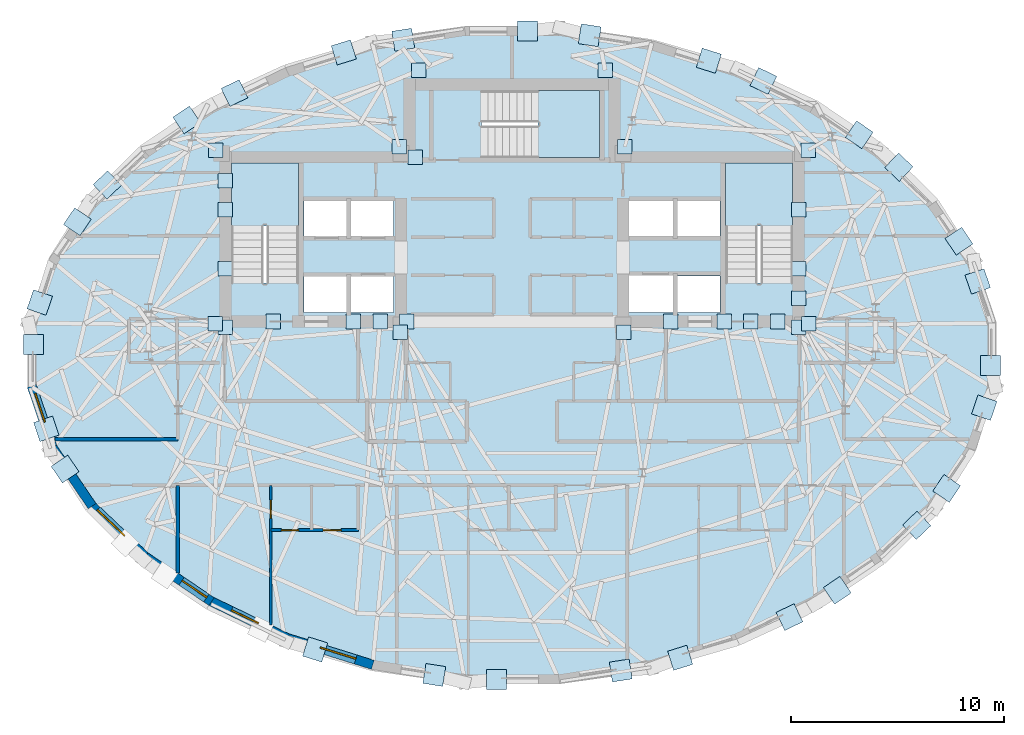
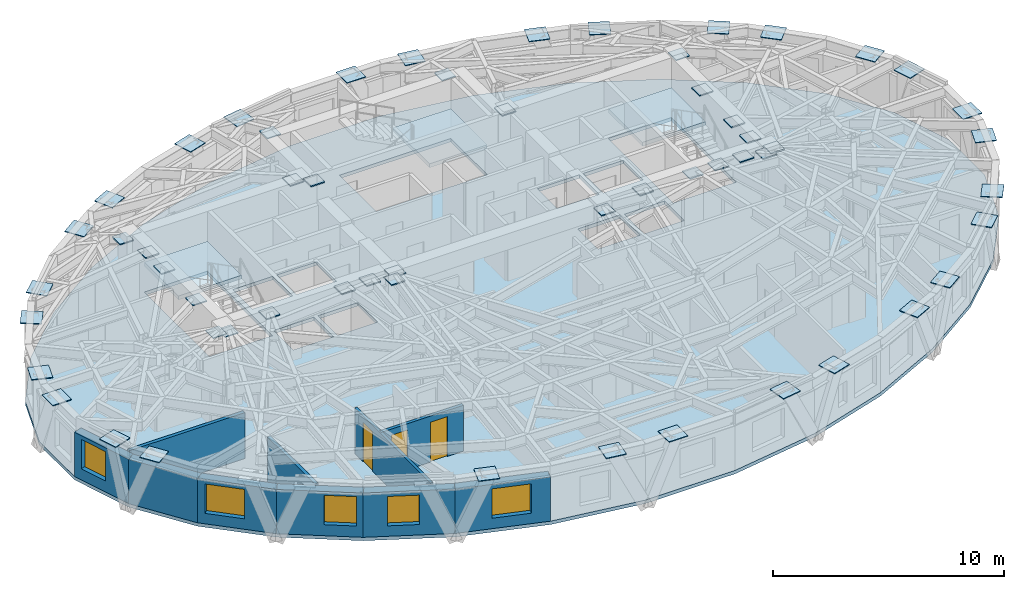
# One storey, part 5 of 14: 56 plates, 10 walls, 5 windows, 4 slabs, 3 doors, 8 openings, 3 elements without a shape of their own.
"""IFC4 building model written with IfcOpenShell, lengths in metres."""

from ifc_helpers import new_model, si_unit, direction, frame, frame_2d, origin, origin_2d, place, context, subcontext, project, spatial, polyline, rectangle, outline, extrude, material, layer, layer_set, type_object, element, fill, aggregate, save


model = new_model("IFC4")

# Units and contexts
model_context = context("Model", 3, precision=1e-05, world=origin(), true_north=direction((0.0, 1.0)))
body_context = subcontext(model_context, "Body", "Model", "MODEL_VIEW")
ifc_project = project(units=[si_unit("LENGTHUNIT", "METRE"), si_unit("AREAUNIT", "SQUARE_METRE"), si_unit("VOLUMEUNIT", "CUBIC_METRE"), si_unit("PLANEANGLEUNIT", "RADIAN"), si_unit("MASSUNIT", "GRAM", prefix="KILO")], contexts=[model_context])

# Site, building, storey
site_placement = place(None, origin())
site = spatial("IfcSite", under=ifc_project, at=site_placement, CompositionType="ELEMENT")
building_placement = place(site_placement, origin())
building = spatial("IfcBuilding", under=site, at=building_placement, Name="Keldmark Tower", CompositionType="ELEMENT")
storey_placement = place(building_placement, frame((0.0, 0.0, 225.75)))
storey = spatial("IfcBuildingStorey", under=building, at=storey_placement, Name="L63", CompositionType="ELEMENT", Elevation=225.75)

# Plates
ifc_material_1 = material(Name="Steel ASTM A572 Grade 50", Category="steel")
ifc_layer_1 = layer(ifc_material_1, 0.06005859375)
ifc_layer_set_1 = layer_set([ifc_layer_1], Name="Steel ASTM A572 Grade 50")
plate_type_1 = type_object("IfcPlateType", Name="Belt Truss Kink Node Assembly KN01 60 mm", PredefinedType="USERDEFINED", material=ifc_layer_set_1)
for number, where, z_axis, x_axis, name in (
    (1, (13.91162109375, 1.473388671875, 2.67822265625), (0.0, 0.0, 1.0), (1.0, 0.0, 0.0), "L63 Core Wall Cast-In Embed Plate 1843"),
    (2, (13.878173828125, 9.608154296875, 2.67822265625), (0.0, 0.0, 1.0), (1.0, 0.0, 0.0), "L63 Core Wall Cast-In Embed Plate 1844"),
    (3, (5.28515625, 9.758544921875, 2.67822265625), (0.0, 0.0, 1.0), (1.0, 0.0, 0.0), "L63 Core Wall Cast-In Embed Plate 1845"),
    (4, (-5.28515625, 9.758544921875, 2.67822265625), (0.0, 0.0, 1.0), (1.0, 0.0, 0.0), "L63 Core Wall Cast-In Embed Plate 1846"),
    (5, (-13.878173828125, 9.608154296875, 2.67822265625), (0.0, 0.0, 1.0), (1.0, 0.0, 0.0), "L63 Core Wall Cast-In Embed Plate 1847"),
    (6, (-13.91162109375, 1.473388671875, 2.67822265625), (0.0, 0.0, 1.0), (1.0, 0.0, 0.0), "L63 Core Wall Cast-In Embed Plate 1848"),
    (7, (-5.24072265625, 1.08251953125, 2.67822265625), (0.0, 0.0, 1.0), (1.0, 0.0, 0.0), "L63 Core Wall Cast-In Embed Plate 1849"),
    (8, (5.24072265625, 1.08251953125, 2.67822265625), (0.0, 0.0, 1.0), (1.0, 0.0, 0.0), "L63 Core Wall Cast-In Embed Plate 1850"),
    (9, (-11.19287109375, 1.574951171875, 2.673828125), (0.0, 0.0, 1.0), (1.0, 0.0, 0.0), "L63 Core Wall Cast-In Embed Plate 1851"),
    (10, (-7.43212890625, 1.574951171875, 2.673828125), (0.0, 0.0, 1.0), (1.0, 0.0, 0.0), "L63 Core Wall Cast-In Embed Plate 1852"),
    (11, (7.43212890625, 1.574951171875, 2.673828125), (0.0, 0.0, 1.0), (1.0, 0.0, 0.0), "L63 Core Wall Cast-In Embed Plate 1853"),
    (12, (11.19287109375, 1.574951171875, 2.673828125), (0.0, 0.0, 1.0), (1.0, 0.0, 0.0), "L63 Core Wall Cast-In Embed Plate 1854"),
    (13, (13.425048828125, 4.050048828125, 2.673828125), (0.0, 0.0, 1.0), (1.0, 0.0, 0.0), "L63 Core Wall Cast-In Embed Plate 1855"),
    (14, (-6.1787109375, 1.574951171875, 2.673828125), (0.0, 0.0, 1.0), (1.0, 0.0, 0.0), "L63 Core Wall Cast-In Embed Plate 1856"),
    (15, (9.939208984375, 1.574951171875, 2.673828125), (0.0, 0.0, 1.0), (1.0, 0.0, 0.0), "L63 Core Wall Cast-In Embed Plate 1857"),
    (16, (13.425048828125, 2.675048828125, 2.673828125), (0.0, 0.0, 1.0), (1.0, 0.0, 0.0), "L63 Core Wall Cast-In Embed Plate 1858"),
    (17, (13.425048828125, 6.800048828125, 2.673828125), (0.0, 0.0, 1.0), (1.0, 0.0, 0.0), "L63 Core Wall Cast-In Embed Plate 1859"),
    (18, (-13.425048828125, 4.050048828125, 2.673828125), (0.0, 0.0, 1.0), (1.0, 0.0, 0.0), "L63 Core Wall Cast-In Embed Plate 1860"),
    (19, (-13.425048828125, 6.800048828125, 2.673828125), (0.0, 0.0, 1.0), (1.0, 0.0, 0.0), "L63 Core Wall Cast-In Embed Plate 1861"),
    (20, (12.4462890625, 1.574951171875, 2.673828125), (0.0, 0.0, 1.0), (1.0, 0.0, 0.0), "L63 Core Wall Cast-In Embed Plate 1862"),
    (21, (-13.425048828125, 1.300048828125, 2.673828125), (0.0, 0.0, 1.0), (1.0, 0.0, 0.0), "L63 Core Wall Cast-In Embed Plate 1863"),
    (22, (-4.925048828125, 1.574951171875, 2.673828125), (0.0, 0.0, 1.0), (1.0, 0.0, 0.0), "L63 Core Wall Cast-In Embed Plate 1864"),
    (23, (13.425048828125, 1.300048828125, 2.673828125), (0.0, 0.0, 1.0), (1.0, 0.0, 0.0), "L63 Core Wall Cast-In Embed Plate 1865"),
    (24, (4.363525390625, 13.343505859375, 2.673828125), (0.0, 0.0, 1.0), (1.0, 0.0, 0.0), "L63 Core Wall Cast-In Embed Plate 1866"),
    (25, (-4.363525390625, 13.343505859375, 2.673828125), (0.0, 0.0, 1.0), (1.0, 0.0, 0.0), "L63 Core Wall Cast-In Embed Plate 1867"),
    (26, (-4.52490234375, 9.27490234375, 2.673828125), (0.0, 0.0, 1.0), (1.0, 0.0, 0.0), "L63 Core Wall Cast-In Embed Plate 1868"),
    (27, (-13.425048828125, 8.175048828125, 2.673828125), (0.0, 0.0, 1.0), (1.0, 0.0, 0.0), "L63 Core Wall Cast-In Embed Plate 1869"),
):
    element("IfcPlate", number, at=place(storey_placement, frame(where, z_axis=z_axis, x_axis=x_axis)), inside=storey, type_object=plate_type_1, Name=name, ObjectType="CAP PLATE", PredefinedType="USERDEFINED", context=body_context, shape_type="SweptSolid", body=[
        extrude(rectangle(XDim=0.679931640625, YDim=0.679931640625, at=origin_2d()), origin(), (0.0, 0.0, 1.0), 0.054931640625),
    ])
ifc_material_2 = material(Name="Steel ASTM A572 Grade 50", Category="steel")
ifc_layer_2 = layer(ifc_material_2, 0.0400390625)
ifc_layer_set_2 = layer_set([ifc_layer_2], Name="Steel ASTM A572 Grade 50")
plate_type_2 = type_object("IfcPlateType", Name="Diagrid Node Assembly DN05 40 mm", PredefinedType="USERDEFINED", material=ifc_layer_set_2)
for number, where, z_axis, x_axis, name in (
    (28, (21.820068359375, 3.453857421875, 2.830078125), (0.0, 0.0, 1.0), (-0.321274189923, 0.946986216842, 0.0), "L63 Diagrid Node Assembly 01"),
    (29, (20.939453125, 5.33837890625, 2.830078125), (0.0, 0.0, 1.0), (-0.561216953062, 0.827668733006, 0.0), "L63 Diagrid Node Assembly 02"),
    (30, (18.126953125, 8.806396484375, 2.830078125), (0.0, 0.0, 1.0), (-0.724532846102, 0.689240273721, 0.0), "L63 Diagrid Node Assembly 03"),
    (31, (16.268310546875, 10.322265625, 2.830078125), (0.0, 0.0, 1.0), (-0.827668733006, 0.561216953062, 0.0), "L63 Diagrid Node Assembly 04"),
    (32, (11.77685546875, 12.84375, 2.830078125), (0.0, 0.0, 1.0), (-0.900318771402, 0.435231099372, 0.0), "L63 Diagrid Node Assembly 05"),
    (33, (9.2216796875, 13.79248046875, 2.830078125), (0.0, 0.0, 1.0), (-0.954656937924, 0.297708130344, 0.0), "L63 Diagrid Node Assembly 06"),
    (34, (3.640869140625, 14.9853515625, 2.830078125), (0.0, 0.0, 1.0), (-0.988040736507, 0.15419307054, 0.0), "L63 Diagrid Node Assembly 07"),
    (35, (0.732421875, 15.18798828125, 2.830078125), (0.0, 0.0, 1.0), (-1.0, 0.0, 0.0), "L63 Diagrid Node Assembly 08"),
    (36, (-5.095947265625, 14.778076171875, 2.830078125), (0.0, 0.0, 1.0), (-0.988040736507, -0.15419307054, 0.0), "L63 Diagrid Node Assembly 09"),
    (37, (-7.88037109375, 14.181884765625, 2.830078125), (0.0, 0.0, 1.0), (-0.954656937924, -0.297708130344, 0.0), "L63 Diagrid Node Assembly 10"),
    (38, (-12.999267578125, 12.275634765625, 2.830078125), (0.0, 0.0, 1.0), (-0.900318771402, -0.435231099372, 0.0), "L63 Diagrid Node Assembly 11"),
    (39, (-15.2392578125, 11.017333984375, 2.830078125), (0.0, 0.0, 1.0), (-0.827668733006, -0.561216953062, 0.0), "L63 Diagrid Node Assembly 12"),
    (40, (-18.96142578125, 7.974365234375, 2.830078125), (0.0, 0.0, 1.0), (-0.724532846102, -0.689240273721, 0.0), "L63 Diagrid Node Assembly 13"),
    (41, (-20.363525390625, 6.24462890625, 2.830078125), (0.0, 0.0, 1.0), (-0.561216953062, -0.827668733006, 0.0), "L63 Diagrid Node Assembly 14"),
    (42, (-22.12451171875, 2.46337890625, 2.830078125), (0.0, 0.0, 1.0), (-0.321274189923, -0.946986216842, 0.0), "L63 Diagrid Node Assembly 15"),
    (43, (-22.424560546875, 0.49462890625, 2.830078125), (0.0, 0.0, 1.0), (0.0, -1.0, 0.0), "L63 Diagrid Node Assembly 16"),
    (44, (-21.820068359375, -3.453857421875, 2.830078125), (0.0, 0.0, 1.0), (0.321274189923, -0.946986216842, 0.0), "L63 Diagrid Node Assembly 17"),
    (45, (-20.939453125, -5.33837890625, 2.830078125), (0.0, 0.0, 1.0), (0.561216953062, -0.827668733006, 0.0), "L63 Diagrid Node Assembly 18"),
    (46, (-9.2216796875, -13.79248046875, 2.830078125), (0.0, 0.0, 1.0), (0.954656937924, -0.297708130344, 0.0), "L63 Diagrid Node Assembly 22"),
    (47, (-3.640869140625, -14.9853515625, 2.830078125), (0.0, 0.0, 1.0), (0.988040736507, -0.15419307054, 0.0), "L63 Diagrid Node Assembly 23"),
    (48, (-0.732421875, -15.18798828125, 2.830078125), (0.0, 0.0, 1.0), (1.0, 0.0, 0.0), "L63 Diagrid Node Assembly 24"),
    (49, (5.095947265625, -14.778076171875, 2.830078125), (0.0, 0.0, 1.0), (0.988040736507, 0.15419307054, 0.0), "L63 Diagrid Node Assembly 25"),
    (50, (7.88037109375, -14.181884765625, 2.830078125), (0.0, 0.0, 1.0), (0.954656937924, 0.297708130344, 0.0), "L63 Diagrid Node Assembly 26"),
    (51, (12.999267578125, -12.275634765625, 2.830078125), (0.0, 0.0, 1.0), (0.900318771402, 0.435231099372, 0.0), "L63 Diagrid Node Assembly 27"),
    (52, (15.2392578125, -11.017333984375, 2.830078125), (0.0, 0.0, 1.0), (0.827668733006, 0.561216953062, 0.0), "L63 Diagrid Node Assembly 28"),
    (53, (18.96142578125, -7.974365234375, 2.830078125), (0.0, 0.0, 1.0), (0.724532846102, 0.689240273721, 0.0), "L63 Diagrid Node Assembly 29"),
    (54, (20.363525390625, -6.24462890625, 2.830078125), (0.0, 0.0, 1.0), (0.561216953062, 0.827668733006, 0.0), "L63 Diagrid Node Assembly 30"),
    (55, (22.12451171875, -2.46337890625, 2.830078125), (0.0, 0.0, 1.0), (0.321274189923, 0.946986216842, 0.0), "L63 Diagrid Node Assembly 31"),
    (56, (22.424560546875, -0.49462890625, 2.830078125), (0.0, 0.0, 1.0), (0.0, 1.0, 0.0), "L63 Diagrid Node Assembly 32"),
):
    element("IfcPlate", number, at=place(storey_placement, frame(where, z_axis=z_axis, x_axis=x_axis)), inside=storey, type_object=plate_type_2, Name=name, ObjectType="GUSSET", PredefinedType="USERDEFINED", context=body_context, shape_type="SweptSolid", body=[
        extrude(rectangle(XDim=0.93994140625, YDim=0.93994140625, at=origin_2d()), origin(), (0.0, 0.0, 1.0), 0.0400390625),
    ])

# Slab
ifc_material_3 = material(Name="Concrete C35/45", Category="concrete")
ifc_layer_3 = layer(ifc_material_3, 0.179931640625)
ifc_layer_set_3 = layer_set([ifc_layer_3], Name="Concrete C35/45")
slab_type_1 = type_object("IfcSlabType", Name="Hotel and Residential Slab 180 mm", PredefinedType="FLOOR", material=ifc_layer_set_3)
slab_1_placement = place(storey_placement, frame((0.0, 0.0, -0.179931640625)))
element("IfcSlab", 57, at=slab_1_placement, inside=storey, type_object=slab_type_1, Name="L63 Composite Structural Floor Slab", PredefinedType="FLOOR", context=body_context, shape_type="SweptSolid", body=[
    extrude(outline(polyline([(22.709228515625, 1.516845703125), (21.70849609375, 4.4658203125), (19.856201171875, 7.19775390625), (17.30078125, 9.62890625), (14.1982421875, 11.73291015625), (10.61328125, 13.4658203125), (6.585205078125, 14.72216796875), (2.23681640625, 15.400634765625), (-2.23681640625, 15.400634765625), (-6.585205078125, 14.72216796875), (-10.61328125, 13.4658203125), (-14.1982421875, 11.73291015625), (-17.30078125, 9.62890625), (-19.856201171875, 7.19775390625), (-21.70849609375, 4.4658203125), (-22.709228515625, 1.516845703125), (-22.709228515625, -1.516845703125), (-21.70849609375, -4.4658203125), (-19.856201171875, -7.19775390625), (-17.30078125, -9.62890625), (-14.1982421875, -11.73291015625), (-10.61328125, -13.4658203125), (-6.585205078125, -14.72216796875), (-2.23681640625, -15.400634765625), (2.23681640625, -15.400634765625), (6.585205078125, -14.72216796875), (10.61328125, -13.4658203125), (14.1982421875, -11.73291015625), (17.30078125, -9.62890625), (19.856201171875, -7.19775390625), (21.70849609375, -4.4658203125), (22.709228515625, -1.516845703125), (22.709228515625, 1.516845703125)]), holes=[polyline([(-10.0, 3.385009765625), (-10.0, 9.0), (-13.14990234375, 9.0), (-13.14990234375, 3.385009765625), (-10.0, 3.385009765625)]), polyline([(13.14990234375, 3.385009765625), (13.14990234375, 9.0), (10.0, 9.0), (10.0, 3.385009765625), (13.14990234375, 3.385009765625)]), polyline([(-1.43994140625, 9.25), (4.10498046875, 9.25), (4.10498046875, 12.39990234375), (-1.43994140625, 12.39990234375), (-1.43994140625, 9.25)]), polyline([(-9.75, 2.0), (-7.75, 2.0), (-7.75, 3.699951171875), (-9.75, 3.699951171875), (-9.75, 2.0)]), polyline([(7.75, 2.0), (9.75, 2.0), (9.75, 3.699951171875), (7.75, 3.699951171875), (7.75, 2.0)]), polyline([(5.449951171875, 2.0), (7.550048828125, 2.0), (7.550048828125, 3.75), (5.449951171875, 3.75), (5.449951171875, 2.0)]), polyline([(-9.75, 5.550048828125), (-7.75, 5.550048828125), (-7.75, 7.25), (-9.75, 7.25), (-9.75, 5.550048828125)]), polyline([(-7.550048828125, 5.550048828125), (-5.550048828125, 5.550048828125), (-5.550048828125, 7.25), (-7.550048828125, 7.25), (-7.550048828125, 5.550048828125)]), polyline([(-7.550048828125, 2.0), (-5.550048828125, 2.0), (-5.550048828125, 3.699951171875), (-7.550048828125, 3.699951171875), (-7.550048828125, 2.0)]), polyline([(5.449951171875, 5.550048828125), (7.550048828125, 5.550048828125), (7.550048828125, 7.25), (5.449951171875, 7.25), (5.449951171875, 5.550048828125)]), polyline([(7.75, 5.550048828125), (9.75, 5.550048828125), (9.75, 7.25), (7.75, 7.25), (7.75, 5.550048828125)])]), origin(), (0.0, 0.0, 1.0), 0.179931640625),
])

# Stair, slab
ifc_material_4 = material(Name="Concrete C40/50", Category="concrete")
stair_type = type_object("IfcStairType", Name="Precast Concrete Core Exit Stair", PredefinedType="HALF_TURN_STAIR", material=ifc_material_4)
stair_1_placement = place(storey_placement, origin())
stair_1 = element("IfcStair", 58, at=stair_1_placement, inside=storey, type_object=stair_type, Name="L63 Exit Stair ST1", PredefinedType="HALF_TURN_STAIR")
ifc_material_5 = material(Name="Concrete C40/50", Category="concrete")
ifc_layer_4 = layer(ifc_material_5, 0.199951171875)
ifc_layer_set_4 = layer_set([ifc_layer_4], Name="Concrete C40/50")
slab_type_2 = type_object("IfcSlabType", Name="Reinforced Concrete Stair Landing 200 mm", PredefinedType="LANDING", material=ifc_layer_set_4)
slab_2_placement = place(storey_placement, frame((0.0, 0.0, 1.375)))
slab_2 = element("IfcSlab", 59, at=slab_2_placement, type_object=slab_type_2, Name="ST1 landing 1", PredefinedType="LANDING", context=body_context, shape_type="SweptSolid", body=[
    extrude(outline(polyline([(-10.0, 6.050048828125), (-10.0, 9.0), (-13.14990234375, 9.0), (-13.14990234375, 6.050048828125), (-10.0, 6.050048828125)])), origin(), (0.0, 0.0, 1.0), 0.199951171875),
])
aggregate(stair_1, [slab_2])

stair_2_placement = place(storey_placement, origin())
stair_2 = element("IfcStair", 60, at=stair_2_placement, inside=storey, type_object=stair_type, Name="L63 Exit Stair ST2", PredefinedType="HALF_TURN_STAIR")
slab_3_placement = place(storey_placement, frame((0.0, 0.0, 1.375)))
slab_3 = element("IfcSlab", 61, at=slab_3_placement, type_object=slab_type_2, Name="ST2 landing 1", PredefinedType="LANDING", context=body_context, shape_type="SweptSolid", body=[
    extrude(outline(polyline([(13.14990234375, 6.050048828125), (13.14990234375, 9.0), (10.0, 9.0), (10.0, 6.050048828125), (13.14990234375, 6.050048828125)])), origin(), (0.0, 0.0, 1.0), 0.199951171875),
])
aggregate(stair_2, [slab_3])

stair_3_placement = place(storey_placement, origin())
stair_3 = element("IfcStair", 62, at=stair_3_placement, inside=storey, type_object=stair_type, Name="L63 Exit Stair ST3", PredefinedType="HALF_TURN_STAIR")
slab_4_placement = place(storey_placement, frame((0.0, 0.0, 1.375)))
slab_4 = element("IfcSlab", 63, at=slab_4_placement, type_object=slab_type_2, Name="ST3 landing 1", PredefinedType="LANDING", context=body_context, shape_type="SweptSolid", body=[
    extrude(outline(polyline([(1.22509765625, 9.25), (4.10498046875, 9.25), (4.10498046875, 12.39990234375), (1.22509765625, 12.39990234375), (1.22509765625, 9.25)])), origin(), (0.0, 0.0, 1.0), 0.199951171875),
])
aggregate(stair_3, [slab_4])

# Wall, opening, door
ifc_material_6 = material(Name="Acoustic Gypsum Board Interior Partition", Category="gypsum")
ifc_layer_5 = layer(ifc_material_6, 0.1298828125)
ifc_layer_set_5 = layer_set([ifc_layer_5], Name="Acoustic Gypsum Board Interior Partition")
wall_type_1 = type_object("IfcWallType", Name="Interior Partition 130 mm", PredefinedType="PARTITIONING", material=ifc_layer_set_5)
wall_1_placement = place(storey_placement, frame((-11.300048828125, -12.63623046875, 0.0), z_axis=(0.0, 0.0, 1.0), x_axis=(0.0, 1.0, 0.0)))
wall_1 = element("IfcWall", 64, at=wall_1_placement, inside=storey, type_object=wall_type_1, Name="L63 Interior Partition 130 mm UA-BR1-E", PredefinedType="PARTITIONING", context=body_context, shape_type="SweptSolid", body=[
    extrude(rectangle(XDim=6.5361328125, YDim=0.1298828125, at=frame_2d((3.26806640625, 0.0))), origin(), (0.0, 0.0, 1.0), 2.423095703125),
])
opening_1_placement = place(wall_1_placement, frame((4.986328125, 0.0, 0.0)))
opening_1 = element("IfcOpeningElement", 65, at=opening_1_placement, cuts=wall_1, Name="Opening D-BR085", PredefinedType="OPENING", context=body_context, shape_type="SweptSolid", body=[
    extrude(rectangle(XDim=0.85009765625, YDim=2.10009765625, at=frame_2d((0.425048828125, 1.050048828125))), frame((0.0, 0.074951171875, 0.0), z_axis=(0.0, -1.0, 0.0), x_axis=(1.0, 0.0, 0.0)), (0.0, 0.0, 1.0), 0.14990234375),
])
ifc_material_7 = material(Name="Solid-Core Stained Walnut Wood", Category="wood")
door_type_1 = type_object("IfcDoorType", Name="Bedroom Door 850x2100", OperationType="NOTDEFINED", PredefinedType="DOOR", material=ifc_material_7)
door_1_placement = place(opening_1_placement, origin())
door_1 = element("IfcDoor", 66, at=door_1_placement, inside=storey, type_object=door_type_1, Name="L63 Bedroom Door 850x2100 D-UA-BR1-L63", OperationType="SINGLE_SWING_RIGHT", OverallHeight=2.10009765625, OverallWidth=0.85009765625, PredefinedType="DOOR", context=body_context, shape_type="SweptSolid", body=[
    extrude(rectangle(XDim=0.85009765625, YDim=2.10009765625, at=frame_2d((0.425048828125, 1.050048828125))), frame((0.0, 0.02490234375, 0.0), z_axis=(0.0, -1.0, 0.0), x_axis=(1.0, 0.0, 0.0)), (0.0, 0.0, 1.0), 0.050048828125),
])
fill(opening_1, door_1)

# Walls
ifc_material_8 = material(Name="Type X Fire-Rated Gypsum Partition Assembly", Category="gypsum")
ifc_layer_6 = layer(ifc_material_8, 0.1650390625)
ifc_layer_set_6 = layer_set([ifc_layer_6], Name="Type X Fire-Rated Gypsum Partition Assembly")
wall_type_2 = type_object("IfcWallType", Name="Rated Partition 165 mm", PredefinedType="PARTITIONING", material=ifc_layer_set_6)
wall_2_placement = place(storey_placement, frame((-21.410400390625, -3.949951171875, 0.0), z_axis=(0.0, 0.0, 1.0), x_axis=(1.0, 0.0, 0.0)))
element("IfcWall", 67, at=wall_2_placement, inside=storey, type_object=wall_type_2, Name="L63 Rated Partition 165 mm RCOR-WN-OUT", PredefinedType="PARTITIONING", context=body_context, shape_type="SweptSolid", body=[
    extrude(rectangle(XDim=5.760498046875, YDim=0.1650390625, at=frame_2d((2.88037109375, 0.0))), origin(), (0.0, 0.0, 1.0), 2.423095703125),
])
wall_3_placement = place(storey_placement, frame((-15.64990234375, -10.20703125, 0.0), z_axis=(0.0, 0.0, 1.0), x_axis=(0.0, 1.0, 0.0)))
element("IfcWall", 68, at=wall_3_placement, inside=storey, type_object=wall_type_2, Name="L63 Rated Partition 165 mm RS-WCAP", PredefinedType="PARTITIONING", context=body_context, shape_type="SweptSolid", body=[
    extrude(rectangle(XDim=4.10693359375, YDim=0.1650390625, at=frame_2d((2.053466796875, 0.0))), origin(), (0.0, 0.0, 1.0), 2.423095703125),
])

# Wall, opening, window
ifc_material_9 = material(Name="Ironspot Manganese Brick and Kasota Buff Limestone Spandrel Assembly", Category="masonry")
ifc_layer_7 = layer(ifc_material_9, 0.43994140625)
ifc_layer_set_7 = layer_set([ifc_layer_7], Name="Ironspot Manganese Brick and Kasota Buff Limestone Spandrel Assembly")
wall_type_3 = type_object("IfcWallType", Name="Tower Brick Pier and Spandrel Wall 440 mm", PredefinedType="STANDARD", material=ifc_layer_set_7)
wall_4_placement = place(storey_placement, frame((-21.500244140625, -4.395263671875, 0.0), z_axis=(0.0, 0.0, 1.0), x_axis=(-0.32132647272, 0.946968477791, 0.0)))
wall_4 = element("IfcWall", 69, at=wall_4_placement, inside=storey, type_object=wall_type_3, Name="L63 Exterior Brick and Spandrel Wall 17", PredefinedType="STANDARD", context=body_context, shape_type="SweptSolid", body=[
    extrude(rectangle(XDim=3.1142578125, YDim=0.43994140625, at=frame_2d((1.55712890625, 0.0))), origin(), (0.0, 0.0, 1.0), 2.3359375),
])
opening_2_placement = place(wall_4_placement, frame((1.319580078125, 0.0, 0.580078125)))
opening_2 = element("IfcOpeningElement", 70, at=opening_2_placement, cuts=wall_4, Name="Opening W-08", PredefinedType="OPENING", context=body_context, shape_type="SweptSolid", body=[
    extrude(rectangle(XDim=1.39990234375, YDim=1.550048828125, at=frame_2d((0.699951171875, 0.77490234375))), frame((0.0, 0.22998046875, 0.0), z_axis=(0.0, -1.0, 0.0), x_axis=(1.0, 0.0, 0.0)), (0.0, 0.0, 1.0), 0.4599609375),
])
ifc_material_10 = material(Name="Thermally Broken Anodized Aluminum and Triple Low-E Argon Glazing", Category="aluminium")
window_type_1 = type_object("IfcWindowType", Name="Residential Corner Punched Window 1400x1550", PartitioningType="SINGLE_PANEL", PredefinedType="WINDOW", material=ifc_material_10)
window_1_placement = place(opening_2_placement, origin())
window_1 = element("IfcWindow", 71, at=window_1_placement, inside=storey, type_object=window_type_1, Name="L63 Deep-Set Window 17", OverallHeight=1.550048828125, OverallWidth=1.39990234375, PartitioningType="SINGLE_PANEL", PredefinedType="WINDOW", context=body_context, shape_type="SweptSolid", body=[
    extrude(rectangle(XDim=1.39990234375, YDim=1.550048828125, at=frame_2d((0.699951171875, 0.77490234375))), frame((0.0, -0.010009765625, 0.0), z_axis=(0.0, -1.0, 0.0), x_axis=(1.0, 0.0, 0.0)), (0.0, 0.0, 1.0), 0.06005859375),
])
fill(opening_2, window_1)

# Wall
wall_5_placement = place(storey_placement, frame((-19.674072265625, -7.07421875, 0.0), z_axis=(0.0, 0.0, 1.0), x_axis=(-0.561186647073, 0.827689281764, 0.0)))
element("IfcWall", 72, at=wall_5_placement, inside=storey, type_object=wall_type_3, Name="L63 Exterior Brick and Spandrel Wall 18", PredefinedType="STANDARD", context=body_context, shape_type="SweptSolid", body=[
    extrude(rectangle(XDim=3.30078125, YDim=0.43994140625, at=frame_2d((1.650390625, 0.0))), origin(), (0.0, 0.0, 1.0), 2.3359375),
])

# Wall, opening, window
wall_6_placement = place(storey_placement, frame((-17.149169921875, -9.469482421875, 0.0), z_axis=(0.0, 0.0, 1.0), x_axis=(-0.724503260132, 0.689271373306, 0.0)))
wall_6 = element("IfcWall", 73, at=wall_6_placement, inside=storey, type_object=wall_type_3, Name="L63 Exterior Brick and Spandrel Wall 19", PredefinedType="STANDARD", context=body_context, shape_type="SweptSolid", body=[
    extrude(rectangle(XDim=3.527099609375, YDim=0.43994140625, at=frame_2d((1.763671875, 0.0))), origin(), (0.0, 0.0, 1.0), 2.3359375),
])
opening_3_placement = place(wall_6_placement, frame((1.4296875, 0.0, 0.550048828125)))
opening_3 = element("IfcOpeningElement", 74, at=opening_3_placement, cuts=wall_6, Name="Opening W-05", PredefinedType="OPENING", context=body_context, shape_type="SweptSolid", body=[
    extrude(rectangle(XDim=1.75, YDim=1.550048828125, at=frame_2d((0.875, 0.77490234375))), frame((0.0, 0.22998046875, 0.0), z_axis=(0.0, -1.0, 0.0), x_axis=(1.0, 0.0, 0.0)), (0.0, 0.0, 1.0), 0.4599609375),
])
ifc_material_11 = material(Name="Thermally Broken Anodized Aluminum and Triple Low-E Argon Glazing", Category="aluminium")
window_type_2 = type_object("IfcWindowType", Name="Residential Deep-Set Window 1750x1550", PartitioningType="DOUBLE_PANEL_VERTICAL", PredefinedType="WINDOW", material=ifc_material_11)
window_2_placement = place(opening_3_placement, origin())
window_2 = element("IfcWindow", 75, at=window_2_placement, inside=storey, type_object=window_type_2, Name="L63 Deep-Set Window 19", OverallHeight=1.550048828125, OverallWidth=1.75, PartitioningType="SINGLE_PANEL", PredefinedType="WINDOW", context=body_context, shape_type="SweptSolid", body=[
    extrude(rectangle(XDim=1.75, YDim=1.550048828125, at=frame_2d((0.875, 0.77490234375))), frame((0.0, -0.010009765625, 0.0), z_axis=(0.0, -1.0, 0.0), x_axis=(1.0, 0.0, 0.0)), (0.0, 0.0, 1.0), 0.06005859375),
])
fill(opening_3, window_2)

wall_7_placement = place(storey_placement, frame((-14.07470703125, -11.55078125, 0.0), z_axis=(0.0, 0.0, 1.0), x_axis=(-0.827635686249, 0.561265686504, 0.0)))
wall_7 = element("IfcWall", 76, at=wall_7_placement, inside=storey, type_object=wall_type_3, Name="L63 Exterior Brick and Spandrel Wall 20", PredefinedType="STANDARD", context=body_context, shape_type="SweptSolid", body=[
    extrude(rectangle(XDim=3.748779296875, YDim=0.43994140625, at=frame_2d((1.87451171875, 0.0))), origin(), (0.0, 0.0, 1.0), 2.3359375),
])
opening_4_placement = place(wall_7_placement, frame((0.2998046875, 0.0, 0.580078125)))
opening_4 = element("IfcOpeningElement", 77, at=opening_4_placement, cuts=wall_7, Name="Opening W-08", PredefinedType="OPENING", context=body_context, shape_type="SweptSolid", body=[
    extrude(rectangle(XDim=1.39990234375, YDim=1.550048828125, at=frame_2d((0.699951171875, 0.77490234375))), frame((0.0, 0.22998046875, 0.0), z_axis=(0.0, -1.0, 0.0), x_axis=(1.0, 0.0, 0.0)), (0.0, 0.0, 1.0), 0.4599609375),
])
window_3_placement = place(opening_4_placement, origin())
window_3 = element("IfcWindow", 78, at=window_3_placement, inside=storey, type_object=window_type_1, Name="L63 Deep-Set Window 20", OverallHeight=1.550048828125, OverallWidth=1.39990234375, PartitioningType="SINGLE_PANEL", PredefinedType="WINDOW", context=body_context, shape_type="SweptSolid", body=[
    extrude(rectangle(XDim=1.39990234375, YDim=1.550048828125, at=frame_2d((0.699951171875, 0.77490234375))), frame((0.0, -0.010009765625, 0.0), z_axis=(0.0, -1.0, 0.0), x_axis=(1.0, 0.0, 0.0)), (0.0, 0.0, 1.0), 0.06005859375),
])
fill(opening_4, window_3)

wall_8_placement = place(storey_placement, frame((-10.517578125, -13.267822265625, 0.0), z_axis=(0.0, 0.0, 1.0), x_axis=(-0.900331335269, 0.435205108808, 0.0)))
wall_8 = element("IfcWall", 79, at=wall_8_placement, inside=storey, type_object=wall_type_3, Name="L63 Exterior Brick and Spandrel Wall 21", PredefinedType="STANDARD", context=body_context, shape_type="SweptSolid", body=[
    extrude(rectangle(XDim=3.98193359375, YDim=0.43994140625, at=frame_2d((1.990966796875, 0.0))), origin(), (0.0, 0.0, 1.0), 2.3359375),
])
opening_5_placement = place(wall_8_placement, frame((1.538818359375, 0.0, 0.550048828125)))
opening_5 = element("IfcOpeningElement", 80, at=opening_5_placement, cuts=wall_8, Name="Opening W-08", PredefinedType="OPENING", context=body_context, shape_type="SweptSolid", body=[
    extrude(rectangle(XDim=1.39990234375, YDim=1.550048828125, at=frame_2d((0.699951171875, 0.77490234375))), frame((0.0, 0.22998046875, 0.0), z_axis=(0.0, -1.0, 0.0), x_axis=(1.0, 0.0, 0.0)), (0.0, 0.0, 1.0), 0.4599609375),
])
window_4_placement = place(opening_5_placement, origin())
window_4 = element("IfcWindow", 81, at=window_4_placement, inside=storey, type_object=window_type_1, Name="L63 Deep-Set Window 21", OverallHeight=1.550048828125, OverallWidth=1.39990234375, PartitioningType="SINGLE_PANEL", PredefinedType="WINDOW", context=body_context, shape_type="SweptSolid", body=[
    extrude(rectangle(XDim=1.39990234375, YDim=1.550048828125, at=frame_2d((0.699951171875, 0.77490234375))), frame((0.0, -0.010009765625, 0.0), z_axis=(0.0, -1.0, 0.0), x_axis=(1.0, 0.0, 0.0)), (0.0, 0.0, 1.0), 0.06005859375),
])
fill(opening_5, window_4)

wall_9_placement = place(storey_placement, frame((-6.519775390625, -14.51220703125, 0.0), z_axis=(0.0, 0.0, 1.0), x_axis=(-0.954643532685, 0.297751113352, 0.0)))
wall_9 = element("IfcWall", 82, at=wall_9_placement, inside=storey, type_object=wall_type_3, Name="L63 Exterior Brick and Spandrel Wall 22", PredefinedType="STANDARD", context=body_context, shape_type="SweptSolid", body=[
    extrude(rectangle(XDim=4.219482421875, YDim=0.43994140625, at=frame_2d((2.10986328125, 0.0))), origin(), (0.0, 0.0, 1.0), 2.3359375),
])
opening_6_placement = place(wall_9_placement, frame((0.840576171875, 0.0, 0.550048828125)))
opening_6 = element("IfcOpeningElement", 83, at=opening_6_placement, cuts=wall_9, Name="Opening W-05", PredefinedType="OPENING", context=body_context, shape_type="SweptSolid", body=[
    extrude(rectangle(XDim=1.75, YDim=1.550048828125, at=frame_2d((0.875, 0.77490234375))), frame((0.0, 0.22998046875, 0.0), z_axis=(0.0, -1.0, 0.0), x_axis=(1.0, 0.0, 0.0)), (0.0, 0.0, 1.0), 0.4599609375),
])
window_5_placement = place(opening_6_placement, origin())
window_5 = element("IfcWindow", 84, at=window_5_placement, inside=storey, type_object=window_type_2, Name="L63 Deep-Set Window 22", OverallHeight=1.550048828125, OverallWidth=1.75, PartitioningType="SINGLE_PANEL", PredefinedType="WINDOW", context=body_context, shape_type="SweptSolid", body=[
    extrude(rectangle(XDim=1.75, YDim=1.550048828125, at=frame_2d((0.875, 0.77490234375))), frame((0.0, -0.010009765625, 0.0), z_axis=(0.0, -1.0, 0.0), x_axis=(1.0, 0.0, 0.0)), (0.0, 0.0, 1.0), 0.06005859375),
])
fill(opening_6, window_5)

# Wall, openings, doors
ifc_material_12 = material(Name="Moisture-Resistant Gypsum Plumbing Partition", Category="gypsum")
ifc_layer_8 = layer(ifc_material_12, 0.14990234375)
ifc_layer_set_8 = layer_set([ifc_layer_8], Name="Moisture-Resistant Gypsum Plumbing Partition")
wall_type_4 = type_object("IfcWallType", Name="Wet Wall 150 mm", PredefinedType="PLUMBINGWALL", material=ifc_layer_set_8)
wall_10_placement = place(storey_placement, frame((-11.300048828125, -8.199951171875, 0.0), z_axis=(0.0, 0.0, 1.0), x_axis=(1.0, 0.0, 0.0)))
wall_10 = element("IfcWall", 85, at=wall_10_placement, inside=storey, type_object=wall_type_4, Name="L63 Wet Wall 150 mm UA-BK-S", PredefinedType="PLUMBINGWALL", context=body_context, shape_type="SweptSolid", body=[
    extrude(rectangle(XDim=4.10009765625, YDim=0.14990234375, at=frame_2d((2.050048828125, 0.0))), origin(), (0.0, 0.0, 1.0), 2.423095703125),
])
opening_7_placement = place(wall_10_placement, frame((0.5, 0.0, 0.0)))
opening_7 = element("IfcOpeningElement", 86, at=opening_7_placement, cuts=wall_10, Name="Opening D-BT080", PredefinedType="OPENING", context=body_context, shape_type="SweptSolid", body=[
    extrude(rectangle(XDim=0.800048828125, YDim=2.10009765625, at=frame_2d((0.39990234375, 1.050048828125))), frame((0.0, 0.0849609375, 0.0), z_axis=(0.0, -1.0, 0.0), x_axis=(1.0, 0.0, 0.0)), (0.0, 0.0, 1.0), 0.169921875),
])
opening_8_placement = place(wall_10_placement, frame((2.449951171875, 0.0, 0.0)))
opening_8 = element("IfcOpeningElement", 87, at=opening_8_placement, cuts=wall_10, Name="Opening D-IN085", PredefinedType="OPENING", context=body_context, shape_type="SweptSolid", body=[
    extrude(rectangle(XDim=0.85009765625, YDim=2.10009765625, at=frame_2d((0.425048828125, 1.050048828125))), frame((0.0, 0.0849609375, 0.0), z_axis=(0.0, -1.0, 0.0), x_axis=(1.0, 0.0, 0.0)), (0.0, 0.0, 1.0), 0.169921875),
])
ifc_material_13 = material(Name="Moisture-Sealed Stained Wood", Category="wood")
door_type_2 = type_object("IfcDoorType", Name="Bathroom Door 800x2100", OperationType="NOTDEFINED", PredefinedType="DOOR", material=ifc_material_13)
door_2_placement = place(opening_7_placement, origin())
door_2 = element("IfcDoor", 88, at=door_2_placement, inside=storey, type_object=door_type_2, Name="L63 Bathroom Door 800x2100 D-UA-BATH-L63", OperationType="SINGLE_SWING_LEFT", OverallHeight=2.10009765625, OverallWidth=0.800048828125, PredefinedType="DOOR", context=body_context, shape_type="SweptSolid", body=[
    extrude(rectangle(XDim=0.800048828125, YDim=2.10009765625, at=frame_2d((0.39990234375, 1.050048828125))), frame((0.0, 0.02490234375, 0.0), z_axis=(0.0, -1.0, 0.0), x_axis=(1.0, 0.0, 0.0)), (0.0, 0.0, 1.0), 0.050048828125),
])
fill(opening_7, door_2)
ifc_material_14 = material(Name="Painted Architectural Wood", Category="wood")
door_type_3 = type_object("IfcDoorType", Name="Interior Door 850x2100", OperationType="NOTDEFINED", PredefinedType="DOOR", material=ifc_material_14)
door_3_placement = place(opening_8_placement, origin())
door_3 = element("IfcDoor", 89, at=door_3_placement, inside=storey, type_object=door_type_3, Name="L63 Interior Door 850x2100 D-UA-KIT-L63", OperationType="SINGLE_SWING_RIGHT", OverallHeight=2.10009765625, OverallWidth=0.85009765625, PredefinedType="DOOR", context=body_context, shape_type="SweptSolid", body=[
    extrude(rectangle(XDim=0.85009765625, YDim=2.10009765625, at=frame_2d((0.425048828125, 1.050048828125))), frame((0.0, 0.02490234375, 0.0), z_axis=(0.0, -1.0, 0.0), x_axis=(1.0, 0.0, 0.0)), (0.0, 0.0, 1.0), 0.050048828125),
])
fill(opening_8, door_3)

save(model, "model.ifc")
